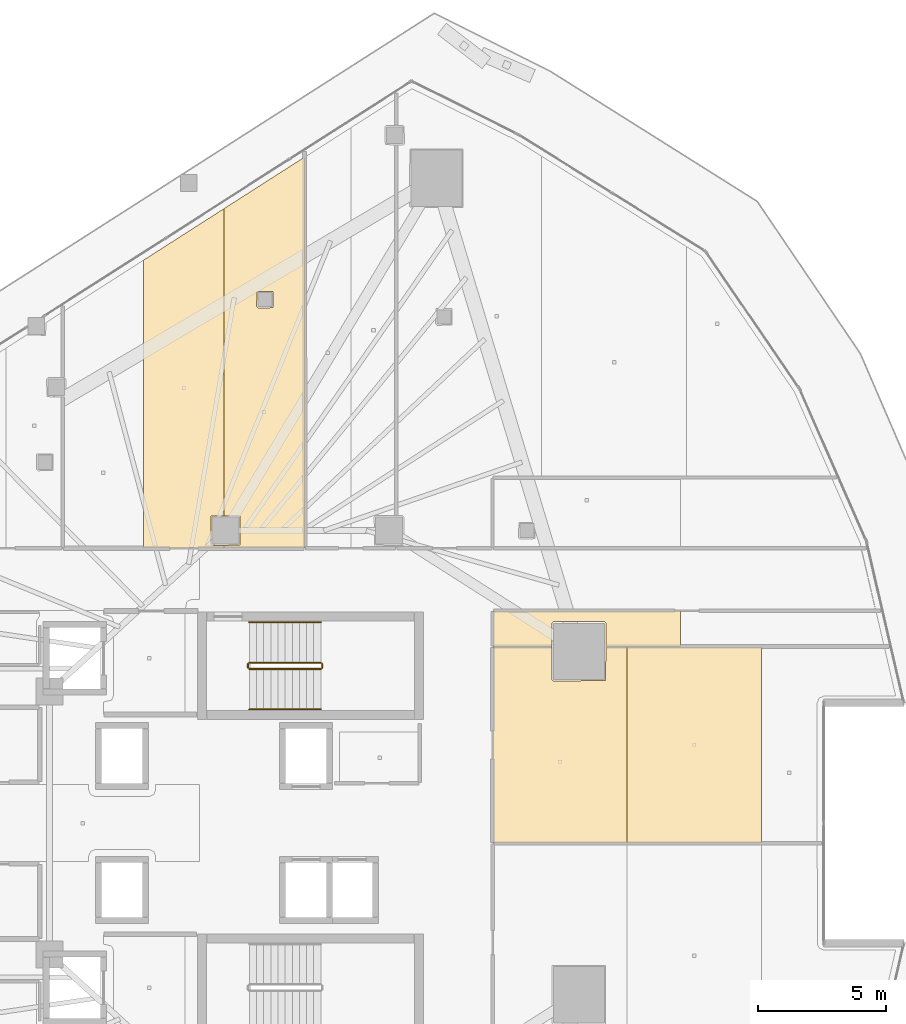
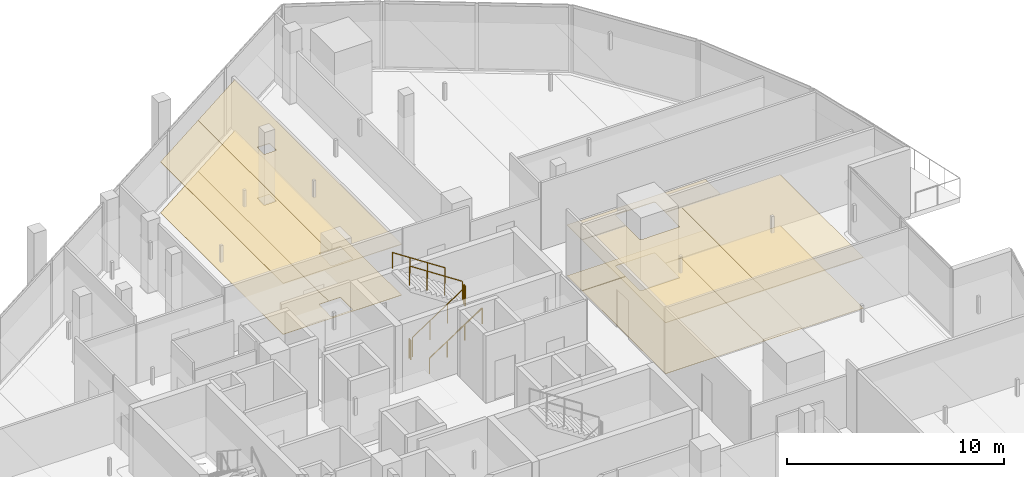
# One storey, part 34 of 35: 10 coverings, 6 railings.
"""IFC4 building model written with IfcOpenShell, lengths in metres."""

from ifc_helpers import new_model, si_unit, direction, frame, origin, origin_2d, place, context, subcontext, project, spatial, polyline, circle, outline, extrude, material, layer, layer_set, type_object, element, save


model = new_model("IFC4")

# Units and contexts
model_context = context("Model", 3, precision=1e-05, world=origin(), true_north=direction((0.0, 1.0)))
body_context = subcontext(model_context, "Body", "Model", "MODEL_VIEW")
ifc_project = project(units=[si_unit("LENGTHUNIT", "METRE"), si_unit("AREAUNIT", "SQUARE_METRE"), si_unit("VOLUMEUNIT", "CUBIC_METRE"), si_unit("PLANEANGLEUNIT", "RADIAN"), si_unit("MASSUNIT", "GRAM", prefix="KILO")], contexts=[model_context])

# Site, building, storey
site_placement = place(None, origin())
site = spatial("IfcSite", under=ifc_project, at=site_placement, CompositionType="ELEMENT")
building_placement = place(site_placement, origin())
building = spatial("IfcBuilding", under=site, at=building_placement, Name="Qorvath Tower", CompositionType="ELEMENT")
storey_placement = place(building_placement, frame((0.0, 0.0, 166.5)))
storey = spatial("IfcBuildingStorey", under=building, at=storey_placement, Name="L38", CompositionType="ELEMENT", Elevation=166.5)

# Coverings
ifc_material_1 = material(Name="Acoustic mineral fibre ceiling tile", Category="gypsum")
ifc_layer_1 = layer(ifc_material_1, 0.030029296875)
ifc_layer_set_1 = layer_set([ifc_layer_1], Name="COV-CEIL")
covering_type_1 = type_object("IfcCoveringType", Name="COV-CEIL", PredefinedType="CEILING", material=ifc_layer_set_1)
covering_1_placement = place(storey_placement, frame((0.0, 0.0, 2.85009765625)))
element("IfcCovering", 1, at=covering_1_placement, inside=storey, type_object=covering_type_1, Name="L38 Suspended Acoustic Ceiling 014", PredefinedType="CEILING", context=body_context, shape_type="SweptSolid", body=[
    extrude(outline(polyline([(-23.658203125, 10.762939453125), (-23.658203125, 10.87255859375), (-24.125, 10.864990234375), (-24.18505859375, 10.925048828125), (-24.16748046875, 12.017333984375), (-23.658203125, 12.017333984375), (-23.658203125, 24.056640625), (-26.81201171875, 22.03759765625), (-26.81201171875, 10.762939453125), (-23.658203125, 10.762939453125)])), origin(), (0.0, 0.0, 1.0), 0.030029296875),
])
covering_2_placement = place(storey_placement, frame((0.0, 0.0, 2.85009765625)))
element("IfcCovering", 2, at=covering_2_placement, inside=storey, type_object=covering_type_1, Name="L38 Suspended Acoustic Ceiling 015", PredefinedType="CEILING", context=body_context, shape_type="SweptSolid", body=[
    extrude(outline(polyline([(-20.512939453125, 26.06982421875), (-23.658203125, 24.056640625), (-23.658203125, 12.017333984375), (-23.032470703125, 12.017333984375), (-23.032470703125, 10.882568359375), (-23.658203125, 10.87255859375), (-23.658203125, 10.762939453125), (-20.504150390625, 10.762939453125), (-20.512939453125, 26.06982421875)]), holes=[polyline([(-22.38818359375, 20.219970703125), (-22.37060546875, 20.812255859375), (-21.73583984375, 20.812255859375), (-21.73583984375, 20.177490234375), (-22.328125, 20.159912109375), (-22.38818359375, 20.219970703125)])]), origin(), (0.0, 0.0, 1.0), 0.030029296875),
])
covering_3_placement = place(storey_placement, frame((0.0, 0.0, 2.85009765625)))
element("IfcCovering", 3, at=covering_3_placement, inside=storey, type_object=covering_type_1, Name="L38 Suspended Acoustic Ceiling 036", PredefinedType="CEILING", context=body_context, shape_type="SweptSolid", body=[
    extrude(outline(polyline([(-7.8798828125, -0.77587890625), (-7.8798828125, 6.900146484375), (-8.710205078125, 6.900146484375), (-8.727783203125, 5.578857421875), (-10.770263671875, 5.561279296875), (-10.830322265625, 5.621337890625), (-10.830322265625, 6.900146484375), (-13.136962890625, 6.900146484375), (-13.136962890625, -0.77587890625), (-7.8798828125, -0.77587890625)])), origin(), (0.0, 0.0, 1.0), 0.030029296875),
])
covering_4_placement = place(storey_placement, frame((0.0, 0.0, 2.85009765625)))
element("IfcCovering", 4, at=covering_4_placement, inside=storey, type_object=covering_type_1, Name="L38 Suspended Acoustic Ceiling 037", PredefinedType="CEILING", context=body_context, shape_type="SweptSolid", body=[
    extrude(outline(polyline([(-2.62255859375, -0.77587890625), (-2.62255859375, 6.900146484375), (-7.8798828125, 6.900146484375), (-7.8798828125, -0.77587890625), (-2.62255859375, -0.77587890625)])), origin(), (0.0, 0.0, 1.0), 0.030029296875),
])
covering_5_placement = place(storey_placement, frame((0.0, 0.0, 2.85009765625)))
element("IfcCovering", 5, at=covering_5_placement, inside=storey, type_object=covering_type_1, Name="L38 Suspended Acoustic Ceiling 040", PredefinedType="CEILING", context=body_context, shape_type="SweptSolid", body=[
    extrude(outline(polyline([(-8.710205078125, 7.8212890625), (-8.710205078125, 6.918212890625), (-5.782470703125, 6.918212890625), (-5.782470703125, 8.31005859375), (-13.136962890625, 8.306884765625), (-13.136962890625, 6.918212890625), (-10.830322265625, 6.918212890625), (-10.830322265625, 7.8212890625), (-10.770263671875, 7.88134765625), (-8.770263671875, 7.88134765625), (-8.710205078125, 7.8212890625)])), origin(), (0.0, 0.0, 1.0), 0.030029296875),
])
ifc_material_2 = material(Name="Low-VOC modular carpet tile", Category="textile")
ifc_layer_2 = layer(ifc_material_2, 0.014892578125)
ifc_layer_set_2 = layer_set([ifc_layer_2], Name="COV-FLOOR-CPT")
covering_type_2 = type_object("IfcCoveringType", Name="COV-FLOOR-CPT", PredefinedType="FLOORING", material=ifc_layer_set_2)
covering_6_placement = place(storey_placement, origin())
element("IfcCovering", 6, at=covering_6_placement, inside=storey, type_object=covering_type_2, Name="L38 Floor Finish 014", PredefinedType="FLOORING", context=body_context, shape_type="SweptSolid", body=[
    extrude(outline(polyline([(-23.658203125, 10.762939453125), (-23.658203125, 10.87255859375), (-24.125, 10.864990234375), (-24.18505859375, 10.925048828125), (-24.16748046875, 12.017333984375), (-23.658203125, 12.017333984375), (-23.658203125, 24.056640625), (-26.81201171875, 22.03759765625), (-26.81201171875, 10.762939453125), (-23.658203125, 10.762939453125)])), origin(), (0.0, 0.0, 1.0), 0.014892578125),
])
covering_7_placement = place(storey_placement, origin())
element("IfcCovering", 7, at=covering_7_placement, inside=storey, type_object=covering_type_2, Name="L38 Floor Finish 015", PredefinedType="FLOORING", context=body_context, shape_type="SweptSolid", body=[
    extrude(outline(polyline([(-20.512939453125, 26.06982421875), (-23.658203125, 24.056640625), (-23.658203125, 12.017333984375), (-23.032470703125, 12.017333984375), (-23.032470703125, 10.882568359375), (-23.658203125, 10.87255859375), (-23.658203125, 10.762939453125), (-20.504150390625, 10.762939453125), (-20.512939453125, 26.06982421875)]), holes=[polyline([(-22.38818359375, 20.219970703125), (-22.37060546875, 20.812255859375), (-21.73583984375, 20.812255859375), (-21.73583984375, 20.177490234375), (-22.328125, 20.159912109375), (-22.38818359375, 20.219970703125)])]), origin(), (0.0, 0.0, 1.0), 0.014892578125),
])
covering_8_placement = place(storey_placement, origin())
element("IfcCovering", 8, at=covering_8_placement, inside=storey, type_object=covering_type_2, Name="L38 Floor Finish 036", PredefinedType="FLOORING", context=body_context, shape_type="SweptSolid", body=[
    extrude(outline(polyline([(-7.8798828125, -0.77587890625), (-7.8798828125, 6.900146484375), (-8.710205078125, 6.900146484375), (-8.727783203125, 5.578857421875), (-10.770263671875, 5.561279296875), (-10.830322265625, 5.621337890625), (-10.830322265625, 6.900146484375), (-13.136962890625, 6.900146484375), (-13.136962890625, -0.77587890625), (-7.8798828125, -0.77587890625)])), origin(), (0.0, 0.0, 1.0), 0.014892578125),
])
covering_9_placement = place(storey_placement, origin())
element("IfcCovering", 9, at=covering_9_placement, inside=storey, type_object=covering_type_2, Name="L38 Floor Finish 037", PredefinedType="FLOORING", context=body_context, shape_type="SweptSolid", body=[
    extrude(outline(polyline([(-2.62255859375, -0.77587890625), (-2.62255859375, 6.900146484375), (-7.8798828125, 6.900146484375), (-7.8798828125, -0.77587890625), (-2.62255859375, -0.77587890625)])), origin(), (0.0, 0.0, 1.0), 0.014892578125),
])
covering_10_placement = place(storey_placement, origin())
element("IfcCovering", 10, at=covering_10_placement, inside=storey, type_object=covering_type_2, Name="L38 Floor Finish 040", PredefinedType="FLOORING", context=body_context, shape_type="SweptSolid", body=[
    extrude(outline(polyline([(-8.710205078125, 7.8212890625), (-8.710205078125, 6.918212890625), (-5.782470703125, 6.918212890625), (-5.782470703125, 8.31005859375), (-13.136962890625, 8.306884765625), (-13.136962890625, 6.918212890625), (-10.830322265625, 6.918212890625), (-10.830322265625, 7.8212890625), (-10.770263671875, 7.88134765625), (-8.770263671875, 7.88134765625), (-8.710205078125, 7.8212890625)])), origin(), (0.0, 0.0, 1.0), 0.014892578125),
])

# Railings
ifc_material_3 = material(Name="Painted galvanised steel", Category="steel")
railing_type_1 = type_object("IfcRailingType", Name="RL-STR-GRD", PredefinedType="GUARDRAIL", material=ifc_material_3)
railing_1_placement = place(storey_placement, frame((-22.669921875, 6.030029296875, 0.18408203125)))
element("IfcRailing", 11, at=railing_1_placement, inside=storey, type_object=railing_type_1, Name="L38 TS1 stair guard 1", PredefinedType="GUARDRAIL", context=body_context, shape_type="SweptSolid", body=[
    extrude(circle(Radius=0.02392578125, at=origin_2d()), frame((0.0, 0.0, 1.076171875), z_axis=(0.835575518608, 0.0, 0.549375602573), x_axis=(0.0, 1.0, 0.0)), (0.0, 0.0, 1.0), 3.350830078125),
    extrude(circle(Radius=0.02099609375, at=origin_2d()), origin(), (0.0, 0.0, 1.0), 1.052001953125),
    extrude(circle(Radius=0.02099609375, at=origin_2d()), frame((0.933349609375, 0.0, 0.613525390625)), (0.0, 0.0, 1.0), 1.052001953125),
    extrude(circle(Radius=0.02099609375, at=origin_2d()), frame((1.866455078125, 0.0, 1.227294921875)), (0.0, 0.0, 1.0), 1.052001953125),
    extrude(circle(Radius=0.02099609375, at=origin_2d()), frame((2.7998046875, 0.0, 1.8408203125)), (0.0, 0.0, 1.0), 1.052001953125),
])
railing_2_placement = place(storey_placement, frame((-19.820068359375, 6.080078125, 2.02490234375)))
element("IfcRailing", 12, at=railing_2_placement, inside=storey, type_object=railing_type_1, Name="L38 TS1 stair guard 2", PredefinedType="GUARDRAIL", context=body_context, shape_type="SweptSolid", body=[
    extrude(circle(Radius=0.02392578125, at=origin_2d()), frame((0.0, 0.0, 1.076171875), z_axis=(0.0, 1.0, 0.0), x_axis=(-1.0, 0.0, 0.0)), (0.0, 0.0, 1.0), 0.14990234375),
    extrude(circle(Radius=0.02099609375, at=origin_2d()), origin(), (0.0, 0.0, 1.0), 1.052001953125),
    extrude(circle(Radius=0.02099609375, at=origin_2d()), frame((0.0, 0.14990234375, 0.0)), (0.0, 0.0, 1.0), 1.052001953125),
])
railing_3_placement = place(storey_placement, frame((-19.8701171875, 6.280029296875, 2.208984375)))
element("IfcRailing", 13, at=railing_3_placement, inside=storey, type_object=railing_type_1, Name="L38 TS1 stair guard 3", PredefinedType="GUARDRAIL", context=body_context, shape_type="SweptSolid", body=[
    extrude(circle(Radius=0.02392578125, at=origin_2d()), frame((0.0, 0.0, 1.076171875), z_axis=(-0.835542071712, 0.0, 0.549426470421), x_axis=(0.0, -1.0, 0.0)), (0.0, 0.0, 1.0), 3.350830078125),
    extrude(circle(Radius=0.02099609375, at=origin_2d()), origin(), (0.0, 0.0, 1.0), 1.052001953125),
    extrude(circle(Radius=0.02099609375, at=origin_2d()), frame((-0.933349609375, 0.0, 0.61376953125)), (0.0, 0.0, 1.0), 1.052001953125),
    extrude(circle(Radius=0.02099609375, at=origin_2d()), frame((-1.866455078125, 0.0, 1.227294921875)), (0.0, 0.0, 1.0), 1.052001953125),
    extrude(circle(Radius=0.02099609375, at=origin_2d()), frame((-2.7998046875, 0.0, 1.841064453125)), (0.0, 0.0, 1.0), 1.052001953125),
])
railing_4_placement = place(storey_placement, frame((-22.719970703125, 6.080078125, 0.0)))
element("IfcRailing", 14, at=railing_4_placement, inside=storey, type_object=railing_type_1, Name="L38 TS1 stair guard 4", PredefinedType="GUARDRAIL", context=body_context, shape_type="SweptSolid", body=[
    extrude(circle(Radius=0.02392578125, at=origin_2d()), frame((0.0, 0.0, 1.076171875), z_axis=(0.0, 1.0, 0.0), x_axis=(-1.0, 0.0, 0.0)), (0.0, 0.0, 1.0), 0.14990234375),
    extrude(circle(Radius=0.02099609375, at=origin_2d()), origin(), (0.0, 0.0, 1.0), 1.052001953125),
    extrude(circle(Radius=0.02099609375, at=origin_2d()), frame((0.0, 0.14990234375, 0.0)), (0.0, 0.0, 1.0), 1.052001953125),
])
ifc_material_4 = material(Name="Brushed stainless steel AISI 304", Category="steel")
railing_type_2 = type_object("IfcRailingType", Name="RL-STR-HND", PredefinedType="HANDRAIL", material=ifc_material_4)
railing_5_placement = place(storey_placement, frame((-22.669921875, 4.449951171875, 0.18408203125)))
element("IfcRailing", 15, at=railing_5_placement, inside=storey, type_object=railing_type_2, Name="L38 TS1 stair handrail 1", PredefinedType="HANDRAIL", context=body_context, shape_type="SweptSolid", body=[
    extrude(circle(Radius=0.02392578125, at=origin_2d()), frame((0.0, 0.0, 0.8759765625), z_axis=(0.835575518608, 0.0, 0.549375602573), x_axis=(0.0, 1.0, 0.0)), (0.0, 0.0, 1.0), 3.350830078125),
    extrude(circle(Radius=0.02099609375, at=origin_2d()), origin(), (0.0, 0.0, 1.0), 0.851806640625),
    extrude(circle(Radius=0.02099609375, at=origin_2d()), frame((0.933349609375, 0.0, 0.613525390625)), (0.0, 0.0, 1.0), 0.851806640625),
    extrude(circle(Radius=0.02099609375, at=origin_2d()), frame((1.866455078125, 0.0, 1.227294921875)), (0.0, 0.0, 1.0), 0.851806640625),
    extrude(circle(Radius=0.02099609375, at=origin_2d()), frame((2.7998046875, 0.0, 1.8408203125)), (0.0, 0.0, 1.0), 0.851806640625),
])
railing_6_placement = place(storey_placement, frame((-19.8701171875, 7.860107421875, 2.208984375)))
element("IfcRailing", 16, at=railing_6_placement, inside=storey, type_object=railing_type_2, Name="L38 TS1 stair handrail 2", PredefinedType="HANDRAIL", context=body_context, shape_type="SweptSolid", body=[
    extrude(circle(Radius=0.02392578125, at=origin_2d()), frame((0.0, 0.0, 0.8759765625), z_axis=(-0.835542071712, 0.0, 0.549426470421), x_axis=(0.0, -1.0, 0.0)), (0.0, 0.0, 1.0), 3.350830078125),
    extrude(circle(Radius=0.02099609375, at=origin_2d()), origin(), (0.0, 0.0, 1.0), 0.851806640625),
    extrude(circle(Radius=0.02099609375, at=origin_2d()), frame((-0.933349609375, 0.0, 0.61376953125)), (0.0, 0.0, 1.0), 0.851806640625),
    extrude(circle(Radius=0.02099609375, at=origin_2d()), frame((-1.866455078125, 0.0, 1.227294921875)), (0.0, 0.0, 1.0), 0.851806640625),
    extrude(circle(Radius=0.02099609375, at=origin_2d()), frame((-2.7998046875, 0.0, 1.841064453125)), (0.0, 0.0, 1.0), 0.851806640625),
])

save(model, "model.ifc")
